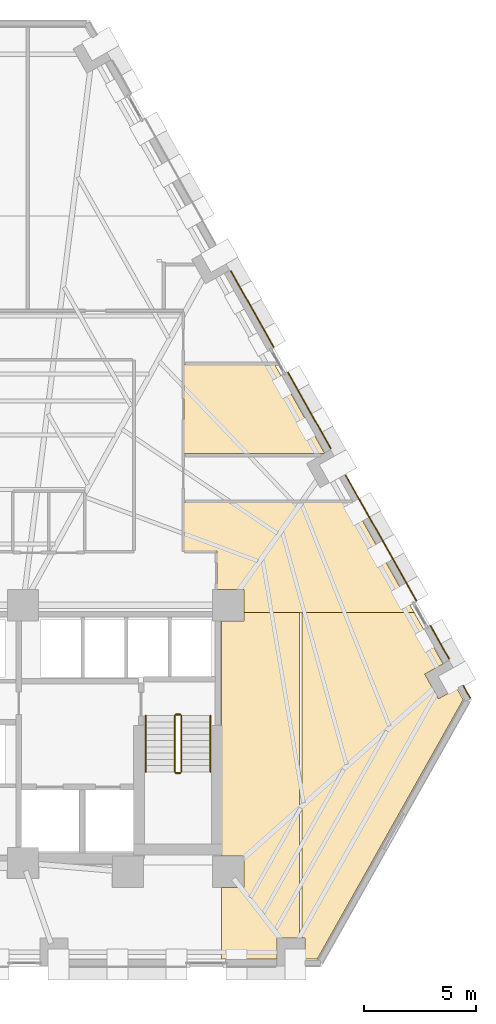
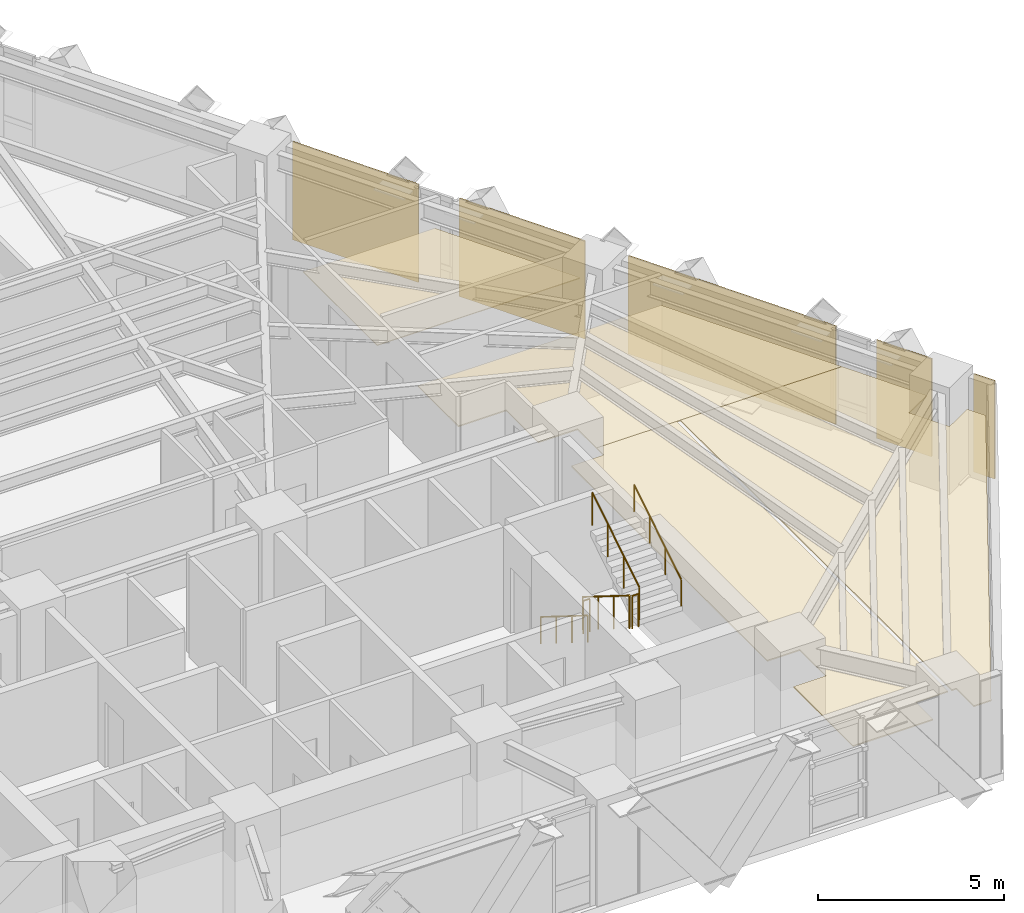
# One storey, part 12 of 13: 9 coverings, 6 railings.
"""IFC4 building model written with IfcOpenShell, lengths in metres."""

from ifc_helpers import new_model, si_unit, direction, frame, origin, origin_2d, place, context, subcontext, project, spatial, polyline, circle, outline, extrude, material, layer, layer_set, type_object, element, save


model = new_model("IFC4")

# Units and contexts
model_context = context("Model", 3, precision=1e-05, world=origin(), true_north=direction((0.0, 1.0)))
body_context = subcontext(model_context, "Body", "Model", "MODEL_VIEW")
ifc_project = project(units=[si_unit("LENGTHUNIT", "METRE"), si_unit("AREAUNIT", "SQUARE_METRE"), si_unit("VOLUMEUNIT", "CUBIC_METRE"), si_unit("PLANEANGLEUNIT", "RADIAN"), si_unit("MASSUNIT", "GRAM", prefix="KILO")], contexts=[model_context])

# Site, building, storey
site_placement = place(None, origin())
site = spatial("IfcSite", under=ifc_project, at=site_placement, CompositionType="ELEMENT")
building_placement = place(site_placement, origin())
building = spatial("IfcBuilding", under=site, at=building_placement, Name="Quenlor Broadcast Tower", CompositionType="ELEMENT")
storey_placement = place(building_placement, frame((0.0, 0.0, 38.10009765625)))
storey = spatial("IfcBuildingStorey", under=building, at=storey_placement, Name="L09", CompositionType="ELEMENT", Elevation=38.10009765625)

# Coverings
ifc_material_1 = material(Name="Acoustic Mineral Fibre Board", Category="other")
ifc_layer_1 = layer(ifc_material_1, 0.02490234375)
ifc_layer_set_1 = layer_set([ifc_layer_1], Name="Acoustic Perforated Mineral Tile Ceiling 25")
covering_type_1 = type_object("IfcCoveringType", Name="Acoustic Perforated Mineral Tile Ceiling 25", PredefinedType="CEILING", material=ifc_layer_set_1)
covering_1_placement = place(storey_placement, frame((0.0, 0.0, 2.224853515625)))
element("IfcCovering", 1, at=covering_1_placement, inside=storey, type_object=covering_type_1, Name="L09 Acoustic Ceiling L09-38", PredefinedType="CEILING", context=body_context, shape_type="SweptSolid", body=[
    extrude(outline(polyline([(15.03369140625, 5.97998046875), (17.263671875, 2.015380859375), (17.236328125, 2.0), (10.955078125, 2.0), (10.955078125, 5.97998046875), (15.03369140625, 5.97998046875)])), origin(), (0.0, 0.0, 1.0), 0.025146484375),
])
ifc_material_2 = material(Name="Acoustic Gypsum Board", Category="other")
ifc_layer_2 = layer(ifc_material_2, 0.0400390625)
ifc_layer_set_2 = layer_set([ifc_layer_2], Name="Broadcast Studio Spring Isolated Ceiling 40")
covering_type_2 = type_object("IfcCoveringType", Name="Broadcast Studio Spring Isolated Ceiling 40", PredefinedType="CEILING", material=ifc_layer_set_2)
covering_2_placement = place(storey_placement, frame((0.0, 0.0, 2.2099609375)))
element("IfcCovering", 2, at=covering_2_placement, inside=storey, type_object=covering_type_2, Name="L09 Acoustic Ceiling L09-40-2", PredefinedType="CEILING", context=body_context, shape_type="SweptSolid", body=[
    extrude(outline(polyline([(13.657958984375, -4.092041015625), (12.43994140625, -4.092041015625), (12.43994140625, -2.3701171875), (10.955078125, -2.3701171875), (10.955078125, -0.190185546875), (18.50439453125, -0.190185546875), (21.27734375, -5.1201171875), (16.260009765625, -5.1201171875), (16.139892578125, -5.1201171875), (13.657958984375, -5.1201171875), (13.657958984375, -4.092041015625)])), origin(), (0.0, 0.0, 1.0), 0.0400390625),
])
covering_3_placement = place(storey_placement, frame((0.0, 0.0, 2.2099609375)))
element("IfcCovering", 3, at=covering_3_placement, inside=storey, type_object=covering_type_2, Name="L09 Acoustic Ceiling L09-40-4", PredefinedType="CEILING", context=body_context, shape_type="SweptSolid", body=[
    extrude(outline(polyline([(13.657958984375, -17.4580078125), (13.657958984375, -16.0419921875), (12.64990234375, -16.0419921875), (12.64990234375, -5.508056640625), (13.657958984375, -5.508056640625), (13.657958984375, -5.1201171875), (16.139892578125, -5.1201171875), (16.139892578125, -19.717041015625), (15.132080078125, -19.717041015625), (15.132080078125, -20.659912109375), (12.64990234375, -20.659912109375), (12.64990234375, -17.4580078125), (13.657958984375, -17.4580078125)])), origin(), (0.0, 0.0, 1.0), 0.0400390625),
])
covering_4_placement = place(storey_placement, frame((0.0, 0.0, 2.2099609375)))
element("IfcCovering", 4, at=covering_4_placement, inside=storey, type_object=covering_type_2, Name="L09 Acoustic Ceiling L09-40-5", PredefinedType="CEILING", context=body_context, shape_type="SweptSolid", body=[
    extrude(outline(polyline([(22.575927734375, -7.428466796875), (21.754150390625, -7.890625), (22.374755859375, -8.994140625), (23.196533203125, -8.531982421875), (23.477783203125, -9.031982421875), (16.937255859375, -20.659912109375), (16.398193359375, -20.659912109375), (16.398193359375, -19.717041015625), (16.260009765625, -19.717041015625), (16.260009765625, -5.1201171875), (21.27734375, -5.1201171875), (22.575927734375, -7.428466796875)])), origin(), (0.0, 0.0, 1.0), 0.0400390625),
])
ifc_material_3 = material(Name="Architectural Terracotta Ceramic", Category="masonry")
ifc_layer_3 = layer(ifc_material_3, 0.044921875)
ifc_layer_set_3 = layer_set([ifc_layer_3], Name="Fluted Terracotta Rainscreen Cladding Panel")
covering_type_3 = type_object("IfcCoveringType", Name="Fluted Terracotta Rainscreen Cladding Panel", PredefinedType="CLADDING", material=ifc_layer_set_3)
covering_5_placement = place(storey_placement, frame((0.0, 0.0, 0.02001953125)))
element("IfcCovering", 5, at=covering_5_placement, inside=storey, type_object=covering_type_3, Name="L09 Terracotta Rainscreen Cladding L09-SHD-NES1", PredefinedType="CLADDING", context=body_context, shape_type="SweptSolid", body=[
    extrude(outline(polyline([(23.464111328125, -8.412109375), (23.781982421875, -8.97705078125), (23.8212890625, -8.955078125), (23.50341796875, -8.39013671875), (23.464111328125, -8.412109375)])), origin(), (0.0, 0.0, 1.0), 3.2099609375),
])
covering_6_placement = place(storey_placement, frame((0.0, 0.0, 0.02001953125)))
element("IfcCovering", 6, at=covering_6_placement, inside=storey, type_object=covering_type_3, Name="L09 Terracotta Rainscreen Cladding L09-NEC-SP1", PredefinedType="CLADDING", context=body_context, shape_type="SweptSolid", body=[
    extrude(outline(polyline([(18.18798828125, 1.029052734375), (21.36669921875, -4.621826171875), (21.406005859375, -4.599853515625), (18.227294921875, 1.051025390625), (18.18798828125, 1.029052734375)])), origin(), (0.0, 0.0, 1.0), 3.2099609375),
])
covering_7_placement = place(storey_placement, frame((0.0, 0.0, 0.02001953125)))
element("IfcCovering", 7, at=covering_7_placement, inside=storey, type_object=covering_type_3, Name="L09 Terracotta Rainscreen Cladding L09-NEC-SP2", PredefinedType="CLADDING", context=body_context, shape_type="SweptSolid", body=[
    extrude(outline(polyline([(21.989013671875, -5.728271484375), (22.83349609375, -7.2294921875), (22.872802734375, -7.20751953125), (22.0283203125, -5.706298828125), (21.989013671875, -5.728271484375)])), origin(), (0.0, 0.0, 1.0), 3.2099609375),
])
covering_8_placement = place(storey_placement, frame((0.0, 0.0, 0.02001953125)))
element("IfcCovering", 8, at=covering_8_placement, inside=storey, type_object=covering_type_3, Name="L09 Terracotta Rainscreen Cladding L09-NE-SP1", PredefinedType="CLADDING", context=body_context, shape_type="SweptSolid", body=[
    extrude(outline(polyline([(13.044921875, 10.172607421875), (14.97314453125, 6.744384765625), (15.012451171875, 6.766357421875), (13.083984375, 10.194580078125), (13.044921875, 10.172607421875)])), origin(), (0.0, 0.0, 1.0), 3.2099609375),
])
covering_9_placement = place(storey_placement, frame((0.0, 0.0, 0.02001953125)))
element("IfcCovering", 9, at=covering_9_placement, inside=storey, type_object=covering_type_3, Name="L09 Terracotta Rainscreen Cladding L09-NE-SP2", PredefinedType="CLADDING", context=body_context, shape_type="SweptSolid", body=[
    extrude(outline(polyline([(15.595458984375, 5.63818359375), (17.523681640625, 2.2099609375), (17.56298828125, 2.23193359375), (15.634765625, 5.66015625), (15.595458984375, 5.63818359375)])), origin(), (0.0, 0.0, 1.0), 3.2099609375),
])

# Railings
ifc_material_4 = material(Name="Anodised Aluminium", Category="aluminium")
railing_type_1 = type_object("IfcRailingType", Name="Stainless Aluminium Wall Handrail 900", PredefinedType="HANDRAIL", material=ifc_material_4)
railing_1_placement = place(storey_placement, frame((9.25, -9.75, 0.1748046875)))
element("IfcRailing", 10, at=railing_1_placement, inside=storey, type_object=railing_type_1, Name="L09 ST-2 stair handrail 1", PredefinedType="HANDRAIL", context=body_context, shape_type="SweptSolid", body=[
    extrude(circle(Radius=0.02392578125, at=origin_2d()), frame((0.0, 0.0, 0.8759765625), z_axis=(0.0, -0.847970611238, 0.530043245855), x_axis=(1.0, 0.0, 0.0)), (0.0, 0.0, 1.0), 2.971923828125),
    extrude(circle(Radius=0.02099609375, at=origin_2d()), origin(), (0.0, 0.0, 1.0), 0.851806640625),
    extrude(circle(Radius=0.02099609375, at=origin_2d()), frame((0.0, -0.840087890625, 0.525146484375)), (0.0, 0.0, 1.0), 0.851806640625),
    extrude(circle(Radius=0.02099609375, at=origin_2d()), frame((0.0, -1.679931640625, 1.050048828125)), (0.0, 0.0, 1.0), 0.851806640625),
    extrude(circle(Radius=0.02099609375, at=origin_2d()), frame((0.0, -2.52001953125, 1.5751953125)), (0.0, 0.0, 1.0), 0.851806640625),
])
railing_2_placement = place(storey_placement, frame((12.14990234375, -12.27001953125, 1.9248046875)))
element("IfcRailing", 11, at=railing_2_placement, inside=storey, type_object=railing_type_1, Name="L09 ST-2 stair handrail 2", PredefinedType="HANDRAIL", context=body_context, shape_type="SweptSolid", body=[
    extrude(circle(Radius=0.02392578125, at=origin_2d()), frame((0.0, 0.0, 0.8759765625), z_axis=(0.0, 0.847970611238, 0.530043245855), x_axis=(-1.0, 0.0, 0.0)), (0.0, 0.0, 1.0), 2.971923828125),
    extrude(circle(Radius=0.02099609375, at=origin_2d()), origin(), (0.0, 0.0, 1.0), 0.851806640625),
    extrude(circle(Radius=0.02099609375, at=origin_2d()), frame((0.0, 0.840087890625, 0.525146484375)), (0.0, 0.0, 1.0), 0.851806640625),
    extrude(circle(Radius=0.02099609375, at=origin_2d()), frame((0.0, 1.679931640625, 1.050048828125)), (0.0, 0.0, 1.0), 0.851806640625),
    extrude(circle(Radius=0.02099609375, at=origin_2d()), frame((0.0, 2.52001953125, 1.5751953125)), (0.0, 0.0, 1.0), 0.851806640625),
])
ifc_material_5 = material(Name="Steel S355", Category="steel")
railing_type_2 = type_object("IfcRailingType", Name="Tubular Steel S355 Stair Guardrail 1100", PredefinedType="BALUSTRADE", material=ifc_material_5)
railing_3_placement = place(storey_placement, frame((10.550048828125, -9.75, 0.1748046875)))
element("IfcRailing", 12, at=railing_3_placement, inside=storey, type_object=railing_type_2, Name="L09 ST-2 stair guard 1", PredefinedType="BALUSTRADE", context=body_context, shape_type="SweptSolid", body=[
    extrude(circle(Radius=0.02392578125, at=origin_2d()), frame((0.0, 0.0, 1.076171875), z_axis=(0.0, -0.847970611238, 0.530043245855), x_axis=(1.0, 0.0, 0.0)), (0.0, 0.0, 1.0), 2.971923828125),
    extrude(circle(Radius=0.02099609375, at=origin_2d()), origin(), (0.0, 0.0, 1.0), 1.052001953125),
    extrude(circle(Radius=0.02099609375, at=origin_2d()), frame((0.0, -0.840087890625, 0.525146484375)), (0.0, 0.0, 1.0), 1.052001953125),
    extrude(circle(Radius=0.02099609375, at=origin_2d()), frame((0.0, -1.679931640625, 1.050048828125)), (0.0, 0.0, 1.0), 1.052001953125),
    extrude(circle(Radius=0.02099609375, at=origin_2d()), frame((0.0, -2.52001953125, 1.5751953125)), (0.0, 0.0, 1.0), 1.052001953125),
])
railing_4_placement = place(storey_placement, frame((10.60009765625, -12.320068359375, 1.75)))
element("IfcRailing", 13, at=railing_4_placement, inside=storey, type_object=railing_type_2, Name="L09 ST-2 stair guard 2", PredefinedType="BALUSTRADE", context=body_context, shape_type="SweptSolid", body=[
    extrude(circle(Radius=0.02392578125, at=origin_2d()), frame((0.0, 0.0, 1.076171875), z_axis=(1.0, 0.0, 0.0), x_axis=(0.0, 1.0, 0.0)), (0.0, 0.0, 1.0), 0.199951171875),
    extrude(circle(Radius=0.02099609375, at=origin_2d()), origin(), (0.0, 0.0, 1.0), 1.052001953125),
    extrude(circle(Radius=0.02099609375, at=origin_2d()), frame((0.199951171875, 0.0, 0.0)), (0.0, 0.0, 1.0), 1.052001953125),
])
railing_5_placement = place(storey_placement, frame((10.85009765625, -12.27001953125, 1.9248046875)))
element("IfcRailing", 14, at=railing_5_placement, inside=storey, type_object=railing_type_2, Name="L09 ST-2 stair guard 3", PredefinedType="BALUSTRADE", context=body_context, shape_type="SweptSolid", body=[
    extrude(circle(Radius=0.02392578125, at=origin_2d()), frame((0.0, 0.0, 1.076171875), z_axis=(0.0, 0.847970611238, 0.530043245855), x_axis=(-1.0, 0.0, 0.0)), (0.0, 0.0, 1.0), 2.971923828125),
    extrude(circle(Radius=0.02099609375, at=origin_2d()), origin(), (0.0, 0.0, 1.0), 1.052001953125),
    extrude(circle(Radius=0.02099609375, at=origin_2d()), frame((0.0, 0.840087890625, 0.525146484375)), (0.0, 0.0, 1.0), 1.052001953125),
    extrude(circle(Radius=0.02099609375, at=origin_2d()), frame((0.0, 1.679931640625, 1.050048828125)), (0.0, 0.0, 1.0), 1.052001953125),
    extrude(circle(Radius=0.02099609375, at=origin_2d()), frame((0.0, 2.52001953125, 1.5751953125)), (0.0, 0.0, 1.0), 1.052001953125),
])
railing_6_placement = place(storey_placement, frame((10.60009765625, -9.699951171875, 0.0)))
element("IfcRailing", 15, at=railing_6_placement, inside=storey, type_object=railing_type_2, Name="L09 ST-2 stair guard 4", PredefinedType="BALUSTRADE", context=body_context, shape_type="SweptSolid", body=[
    extrude(circle(Radius=0.02392578125, at=origin_2d()), frame((0.0, 0.0, 1.076171875), z_axis=(1.0, 0.0, 0.0), x_axis=(0.0, 1.0, 0.0)), (0.0, 0.0, 1.0), 0.199951171875),
    extrude(circle(Radius=0.02099609375, at=origin_2d()), origin(), (0.0, 0.0, 1.0), 1.052001953125),
    extrude(circle(Radius=0.02099609375, at=origin_2d()), frame((0.199951171875, 0.0, 0.0)), (0.0, 0.0, 1.0), 1.052001953125),
])

save(model, "model.ifc")
